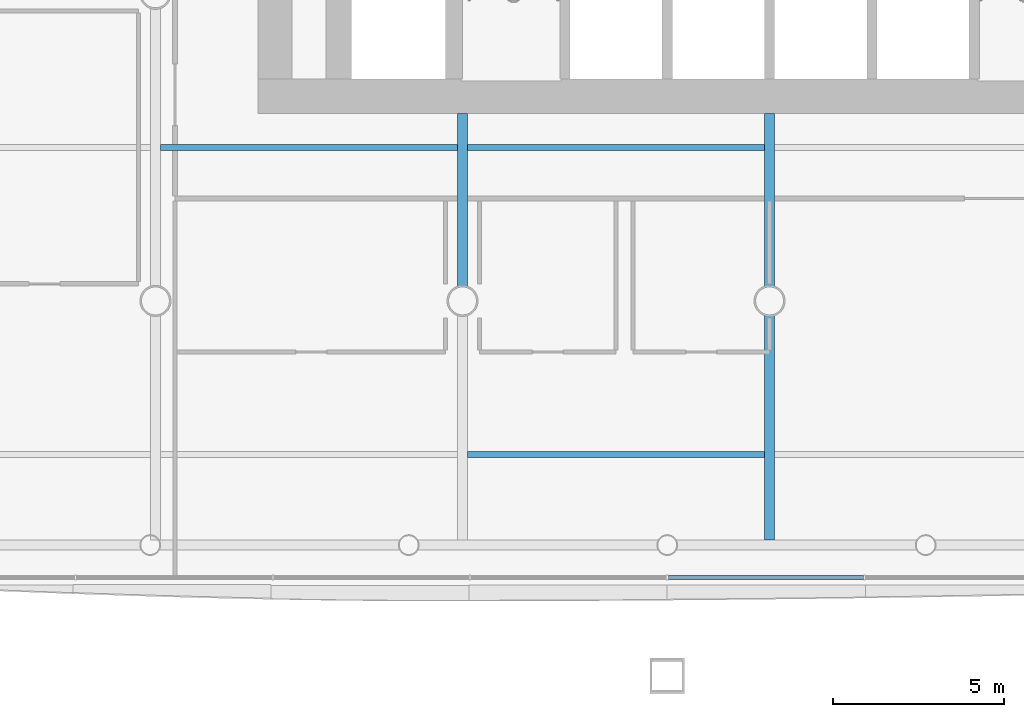
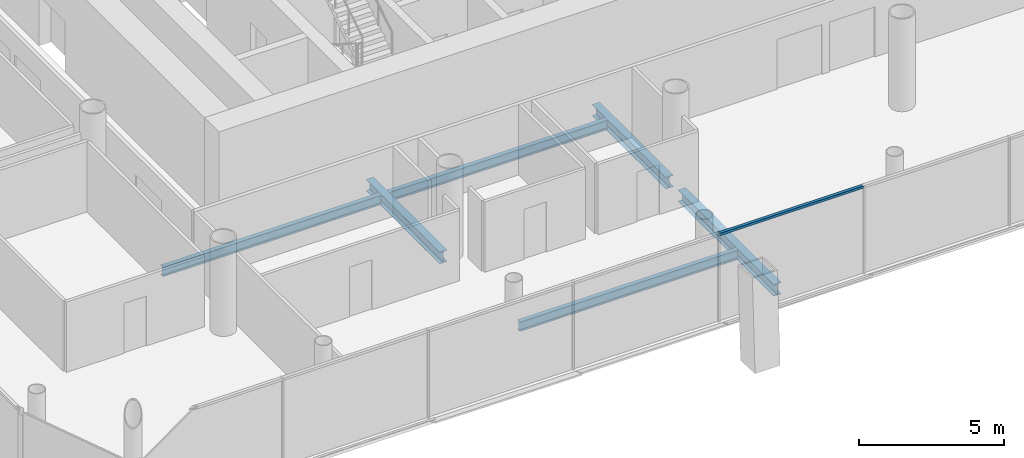
# One storey, part 3 of 20: 6 beams, 1 member, 1 element without a shape of its own.
"""IFC4 building model written with IfcOpenShell, lengths in metres."""

from ifc_helpers import new_model, si_unit, direction, frame, origin, origin_2d, place, context, subcontext, project, spatial, rectangle, i_section, extrude, material, material_profile, profile_set, type_object, element, aggregate, save


model = new_model("IFC4")

# Units and contexts
model_context = context("Model", 3, precision=1e-05, world=origin(), true_north=direction((0.0, 1.0)))
body_context = subcontext(model_context, "Body", "Model", "MODEL_VIEW")
ifc_project = project(units=[si_unit("LENGTHUNIT", "METRE"), si_unit("AREAUNIT", "SQUARE_METRE"), si_unit("VOLUMEUNIT", "CUBIC_METRE"), si_unit("PLANEANGLEUNIT", "RADIAN"), si_unit("MASSUNIT", "GRAM", prefix="KILO")], contexts=[model_context])

# Site, building, storey
site_placement = place(None, origin())
site = spatial("IfcSite", under=ifc_project, at=site_placement, CompositionType="ELEMENT")
building_placement = place(site_placement, origin())
building = spatial("IfcBuilding", under=site, at=building_placement, Name="Tskaro Facet Tower", CompositionType="ELEMENT")
storey_placement = place(building_placement, frame((0.0, 0.0, 49.800048828125)))
storey = spatial("IfcBuildingStorey", under=building, at=storey_placement, Name="L11", CompositionType="ELEMENT", Elevation=49.800048828125)

# Curtain wall, member
ifc_material_1 = material(Name="Bronze anodised aluminium 6063-T6", Category="aluminium")
curtain_wall_type = type_object("IfcCurtainWallType", Name="Bronze office curtain wall (FW1)", PredefinedType="NOTDEFINED", material=ifc_material_1)
curtain_wall_placement = place(storey_placement, origin())
curtain_wall = element("IfcCurtainWall", 1, at=curtain_wall_placement, inside=storey, type_object=curtain_wall_type, Name="FW1 south facet L11", PredefinedType="NOTDEFINED")
ifc_material_profile_1 = material_profile(ifc_material_1, rectangle(XDim=0.1201171875, YDim=0.10009765625, at=origin_2d()), Name="Transom 120x100")
ifc_profile_set_1 = profile_set([ifc_material_profile_1], Name="Bronze anodised aluminium 6063-T6")
member_type = type_object("IfcMemberType", Name="FW1 bronze transom 120x100", PredefinedType="USERDEFINED", material=ifc_profile_set_1)
member_placement = place(storey_placement, frame((-2.969970703125, -26.10693359375, 3.64990234375), z_axis=(1.0, 0.0, 0.0), x_axis=(0.0, 1.0, 0.0)))
member = element("IfcMember", 2, at=member_placement, type_object=member_type, Name="FW1 south transom 5.1", ObjectType="TRANSOM", PredefinedType="USERDEFINED", context=body_context, shape_type="SweptSolid", body=[
    extrude(rectangle(XDim=0.1201171875, YDim=0.10009765625, at=origin_2d()), origin(), (0.0, 0.0, 1.0), 5.720458984375),
])
aggregate(curtain_wall, [member])

# Beams
ifc_material_2 = material(Name="Steel S355J2", Category="steel")
ifc_material_profile_2 = material_profile(ifc_material_2, i_section(OverallWidth=0.300048828125, OverallDepth=0.489990234375, WebThickness=0.011962890625, FlangeThickness=0.02294921875, FilletRadius=0.027099609375, at=origin_2d()), Name="HE 500 A")
ifc_profile_set_2 = profile_set([ifc_material_profile_2], Name="Steel S355J2")
beam_type_1 = type_object("IfcBeamType", Name="HE 500 A girder", PredefinedType="BEAM", material=ifc_profile_set_2)
beam_1_placement = place(storey_placement, frame((-9.0, -17.57275390625, -0.385009765625), z_axis=(0.0, 1.0, 0.0), x_axis=(-1.0, 0.0, 0.0)))
element("IfcBeam", 3, at=beam_1_placement, inside=storey, type_object=beam_type_1, Name="HE 500 A GB3-2-1", PredefinedType="BEAM", context=body_context, shape_type="SweptSolid", body=[
    extrude(i_section(OverallWidth=0.300048828125, OverallDepth=0.489990234375, WebThickness=0.011962890625, FlangeThickness=0.02294921875, FilletRadius=0.027099609375, at=origin_2d()), origin(), (0.0, 0.0, 1.0), 5.07275390625),
])
beam_2_placement = place(storey_placement, frame((0.0, -25.007080078125, -0.385009765625), z_axis=(0.0, 1.0, 0.0), x_axis=(-1.0, 0.0, 0.0)))
element("IfcBeam", 4, at=beam_2_placement, inside=storey, type_object=beam_type_1, Name="HE 500 A GB4-1-1", PredefinedType="BEAM", context=body_context, shape_type="SweptSolid", body=[
    extrude(i_section(OverallWidth=0.300048828125, OverallDepth=0.489990234375, WebThickness=0.011962890625, FlangeThickness=0.02294921875, FilletRadius=0.027099609375, at=origin_2d()), origin(), (0.0, 0.0, 1.0), 6.579833984375),
])
beam_3_placement = place(storey_placement, frame((0.0, -17.57275390625, -0.385009765625), z_axis=(0.0, 1.0, 0.0), x_axis=(-1.0, 0.0, 0.0)))
element("IfcBeam", 5, at=beam_3_placement, inside=storey, type_object=beam_type_1, Name="HE 500 A GB4-2-1", PredefinedType="BEAM", context=body_context, shape_type="SweptSolid", body=[
    extrude(i_section(OverallWidth=0.300048828125, OverallDepth=0.489990234375, WebThickness=0.011962890625, FlangeThickness=0.02294921875, FilletRadius=0.027099609375, at=origin_2d()), origin(), (0.0, 0.0, 1.0), 5.07275390625),
])
ifc_material_profile_3 = material_profile(ifc_material_2, i_section(OverallWidth=0.179931640625, OverallDepth=0.39990234375, WebThickness=0.008544921875, FlangeThickness=0.013427734375, FilletRadius=0.02099609375, at=origin_2d()), Name="IPE 400")
ifc_profile_set_3 = profile_set([ifc_material_profile_3], Name="Steel S355J2")
beam_type_2 = type_object("IfcBeamType", Name="IPE 400 secondary beam", PredefinedType="BEAM", material=ifc_profile_set_3)
for number, where, z_axis, x_axis, name in (
    (6, (-8.85009765625, -22.5, -0.340087890625), (1.0, 0.0, 0.0), (0.0, 1.0, 0.0), "IPE 400 SB1a-3-1"),
    (7, (-17.85009765625, -13.5, -0.340087890625), (1.0, 0.0, 0.0), (0.0, 1.0, 0.0), "IPE 400 SB2a-2-1"),
    (8, (-8.85009765625, -13.5, -0.340087890625), (1.0, 0.0, 0.0), (0.0, 1.0, 0.0), "IPE 400 SB2a-3-1"),
):
    element("IfcBeam", number, at=place(storey_placement, frame(where, z_axis=z_axis, x_axis=x_axis)), inside=storey, type_object=beam_type_2, Name=name, PredefinedType="BEAM", context=body_context, shape_type="SweptSolid", body=[
        extrude(i_section(OverallWidth=0.179931640625, OverallDepth=0.39990234375, WebThickness=0.008544921875, FlangeThickness=0.013427734375, FilletRadius=0.02099609375, at=origin_2d()), origin(), (0.0, 0.0, 1.0), 8.7001953125),
    ])

save(model, "model.ifc")
